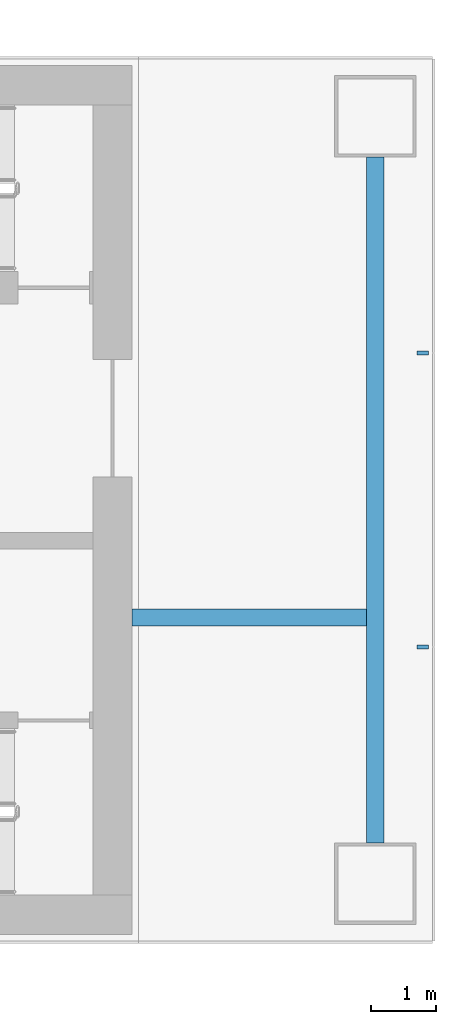
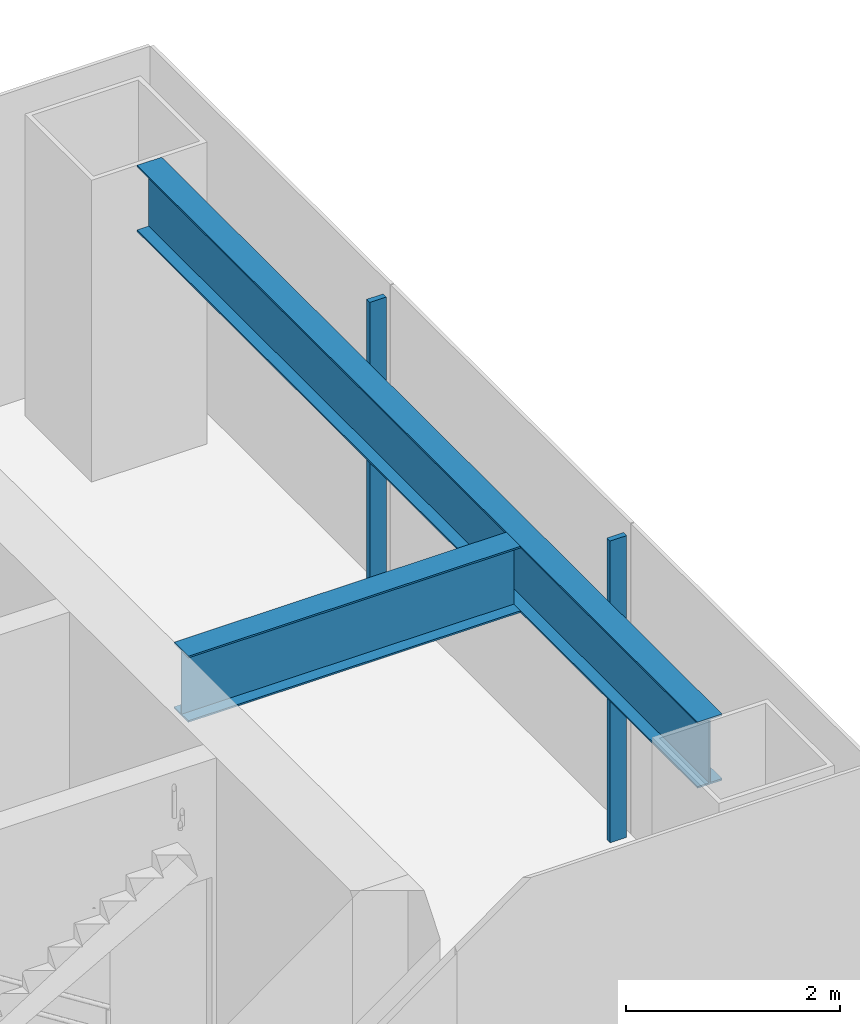
# One storey, part 7 of 20: 2 beams, 2 members, 1 element without a shape of its own.
"""IFC4 building model written with IfcOpenShell, lengths in metres."""

from ifc_helpers import new_model, si_unit, direction, frame, origin, origin_2d, place, context, subcontext, project, spatial, rectangle, i_section, extrude, material, layer, layer_set, material_profile, profile_set, type_object, element, aggregate, save


model = new_model("IFC4")

# Units and contexts
model_context = context("Model", 3, precision=1e-05, world=origin(), true_north=direction((0.0, 1.0)))
body_context = subcontext(model_context, "Body", "Model", "MODEL_VIEW")
ifc_project = project(units=[si_unit("LENGTHUNIT", "METRE"), si_unit("AREAUNIT", "SQUARE_METRE"), si_unit("VOLUMEUNIT", "CUBIC_METRE"), si_unit("PLANEANGLEUNIT", "RADIAN"), si_unit("MASSUNIT", "GRAM", prefix="KILO")], contexts=[model_context])

# Site, building, storey
site_placement = place(None, origin())
site = spatial("IfcSite", under=ifc_project, at=site_placement, CompositionType="ELEMENT")
building_placement = place(site_placement, origin())
building = spatial("IfcBuilding", under=site, at=building_placement, Name="Shamsa Quay Exchange Towers", CompositionType="ELEMENT")
storey_placement = place(building_placement, frame((0.0, 0.0, 124.800048828125)))
storey = spatial("IfcBuildingStorey", under=building, at=storey_placement, Name="L29", CompositionType="ELEMENT", Elevation=124.800048828125)

# Curtain wall, members
ifc_material_1 = material(Name="Aluminium EN AW-6063 T6, black anodised", Category="aluminium")
ifc_layer = layer(ifc_material_1, 0.280029296875)
ifc_layer_set = layer_set([ifc_layer], Name="CW-1 UNITISED VISION GLASS")
curtain_wall_type = type_object("IfcCurtainWallType", Name="CW-1 UNITISED VISION GLASS", PredefinedType="NOTDEFINED", material=ifc_layer_set)
curtain_wall_placement = place(storey_placement, origin())
curtain_wall = element("IfcCurtainWall", 1, at=curtain_wall_placement, inside=storey, type_object=curtain_wall_type, Name="CW1 T2-END-V- L29", PredefinedType="NOTDEFINED")
ifc_material_profile_1 = material_profile(ifc_material_1, rectangle(XDim=0.179931640625, YDim=0.06005859375, at=origin_2d()), Name="MU60x180")
ifc_profile_set_1 = profile_set([ifc_material_profile_1], Name="Aluminium EN AW-6063 T6, black anodised")
member_type = type_object("IfcMemberType", Name="CW1 MULLION 60x180", PredefinedType="MULLION", material=ifc_profile_set_1)
member_1_placement = place(storey_placement, frame((58.35009765625, -2.25, 0.0), z_axis=(0.0, 0.0, 1.0), x_axis=(-1.0, 0.0, 0.0)))
member_1 = element("IfcMember", 2, at=member_1_placement, type_object=member_type, Name="CW1 mullion", PredefinedType="MULLION", context=body_context, shape_type="SweptSolid", body=[
    extrude(rectangle(XDim=0.179931640625, YDim=0.06005859375, at=origin_2d()), origin(), (0.0, 0.0, 1.0), 3.449951171875),
])
member_2_placement = place(storey_placement, frame((58.35009765625, 2.25, 0.0), z_axis=(0.0, 0.0, 1.0), x_axis=(-1.0, 0.0, 0.0)))
member_2 = element("IfcMember", 3, at=member_2_placement, type_object=member_type, Name="CW1 mullion", PredefinedType="MULLION", context=body_context, shape_type="SweptSolid", body=[
    extrude(rectangle(XDim=0.179931640625, YDim=0.06005859375, at=origin_2d()), origin(), (0.0, 0.0, 1.0), 3.449951171875),
])
aggregate(curtain_wall, [member_1, member_2])

# Beams
ifc_material_2 = material(Name="Steel S355", Category="steel")
ifc_material_profile_2 = material_profile(ifc_material_2, i_section(OverallWidth=0.26611328125, OverallDepth=0.7578125, WebThickness=0.013916015625, FlangeThickness=0.019287109375, at=origin_2d()), Name="W30x108")
ifc_profile_set_2 = profile_set([ifc_material_profile_2], Name="Steel S355")
beam_type = type_object("IfcBeamType", Name="End-zone beam W30x108", PredefinedType="BEAM", material=ifc_profile_set_2)
beam_1_placement = place(storey_placement, frame((57.625, -5.25, 3.071044921875), z_axis=(0.0, 1.0, 0.0), x_axis=(-1.0, 0.0, 0.0)))
element("IfcBeam", 4, at=beam_1_placement, inside=storey, type_object=beam_type, Name="End beam T2 V- end zone L29", PredefinedType="BEAM", context=body_context, shape_type="SweptSolid", body=[
    extrude(i_section(OverallWidth=0.26611328125, OverallDepth=0.7578125, WebThickness=0.013916015625, FlangeThickness=0.019287109375, at=origin_2d()), origin(), (0.0, 0.0, 1.0), 10.5),
])
beam_2_placement = place(storey_placement, frame((53.89990234375, -1.800048828125, 3.071044921875), z_axis=(1.0, 0.0, 0.0), x_axis=(0.0, 1.0, 0.0)))
element("IfcBeam", 5, at=beam_2_placement, inside=storey, type_object=beam_type, Name="Spine beam T2 V- end zone L29", PredefinedType="BEAM", context=body_context, shape_type="SweptSolid", body=[
    extrude(i_section(OverallWidth=0.26611328125, OverallDepth=0.7578125, WebThickness=0.013916015625, FlangeThickness=0.019287109375, at=origin_2d()), origin(), (0.0, 0.0, 1.0), 3.592041015625),
])

save(model, "model.ifc")
